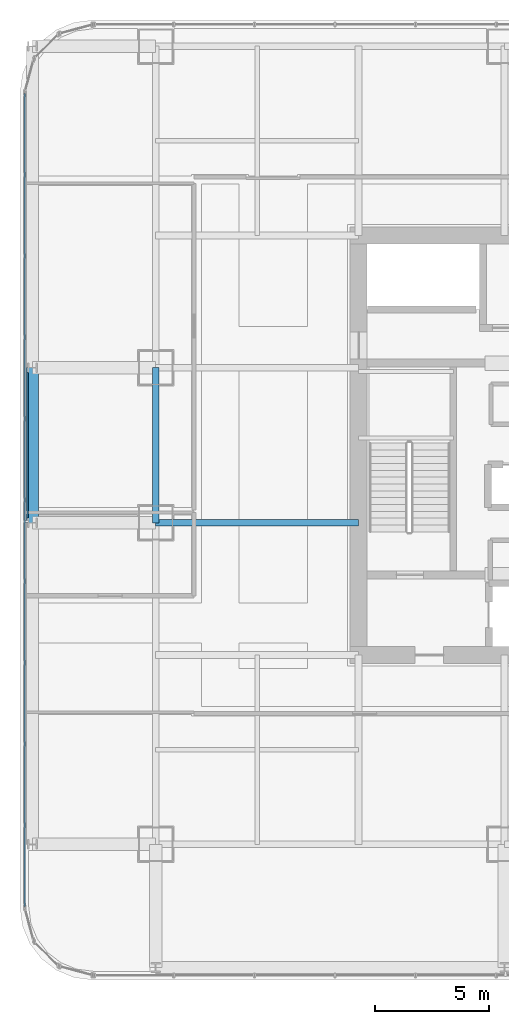
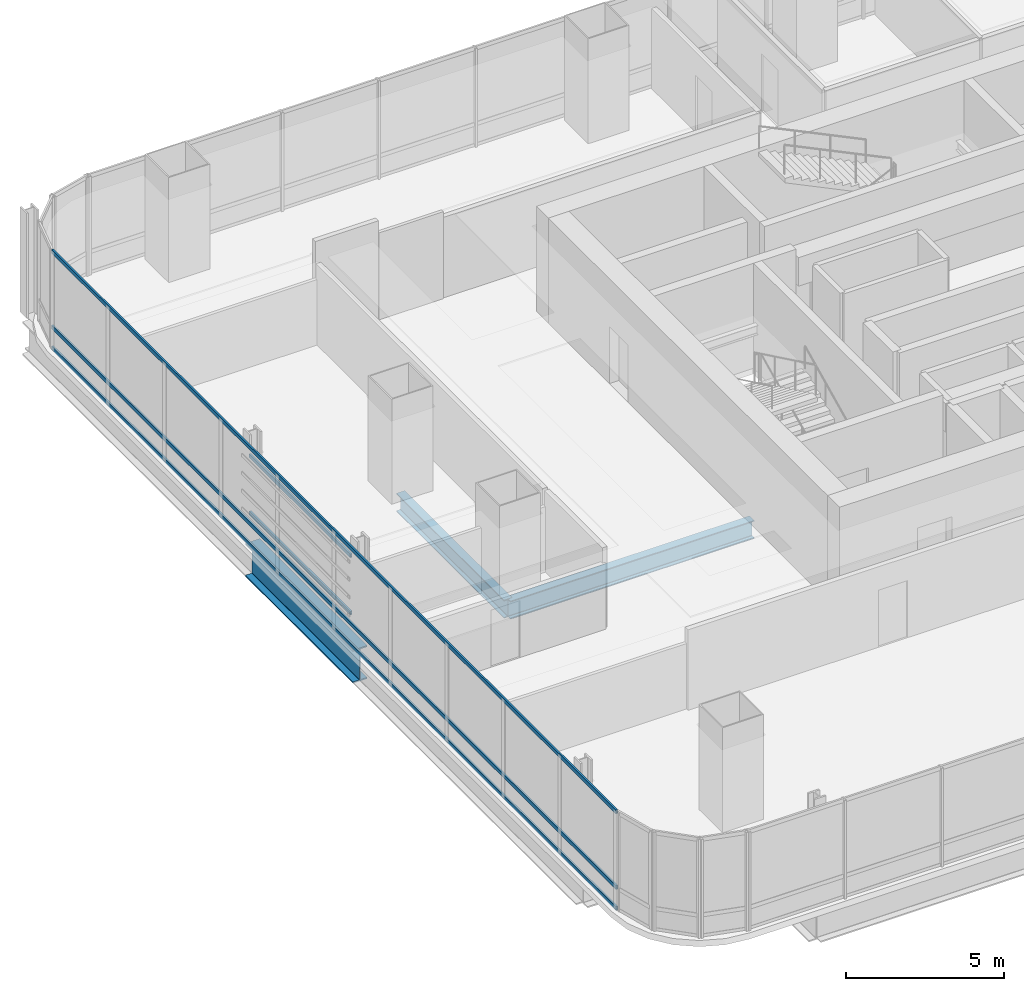
# One storey, part 10 of 36: 5 members, 3 beams, 1 element without a shape of its own.
"""IFC4 building model written with IfcOpenShell, lengths in metres."""

from ifc_helpers import new_model, si_unit, direction, frame, origin, origin_2d, place, context, subcontext, project, spatial, hollow_rectangle, i_section, extrude, material, material_profile, profile_set, type_object, element, aggregate, save


model = new_model("IFC4")

# Units and contexts
model_context = context("Model", 3, precision=1e-05, world=origin(), true_north=direction((0.0, 1.0)))
body_context = subcontext(model_context, "Body", "Model", "MODEL_VIEW")
ifc_project = project(units=[si_unit("LENGTHUNIT", "METRE"), si_unit("AREAUNIT", "SQUARE_METRE"), si_unit("VOLUMEUNIT", "CUBIC_METRE"), si_unit("PLANEANGLEUNIT", "RADIAN"), si_unit("MASSUNIT", "GRAM", prefix="KILO")], contexts=[model_context])

# Site, building, storey
site_placement = place(None, origin())
site = spatial("IfcSite", under=ifc_project, at=site_placement, CompositionType="ELEMENT")
building_placement = place(site_placement, origin())
building = spatial("IfcBuilding", under=site, at=building_placement, Name="Punatoya Terracotta Tower", CompositionType="ELEMENT")
storey_placement = place(building_placement, frame((0.0, 0.0, 36.300048828125)))
storey = spatial("IfcBuildingStorey", under=building, at=storey_placement, Name="L07", CompositionType="ELEMENT", Elevation=36.300048828125)

# Beams
ifc_material_1 = material(Name="Steel S355", Category="steel")
ifc_material_profile_1 = material_profile(ifc_material_1, i_section(OverallWidth=0.300048828125, OverallDepth=0.699951171875, WebThickness=0.01708984375, FlangeThickness=0.031982421875, FilletRadius=0.01806640625, at=origin_2d()))
ifc_profile_set_1 = profile_set([ifc_material_profile_1], Name="Steel S355")
beam_type_1 = type_object("IfcBeamType", Name="BM-PRI-700", PredefinedType="BEAM", material=ifc_profile_set_1)
beam_1_placement = place(storey_placement, frame((-19.10009765625, -3.39990234375, -0.590087890625), z_axis=(0.0, 1.0, 0.0), x_axis=(-1.0, 0.0, 0.0)))
element("IfcBeam", 1, at=beam_1_placement, inside=storey, type_object=beam_type_1, Name="BM-L07-RG-W2", PredefinedType="BEAM", context=body_context, shape_type="SweptSolid", body=[
    extrude(i_section(OverallWidth=0.300048828125, OverallDepth=0.699951171875, WebThickness=0.01708984375, FlangeThickness=0.031982421875, FilletRadius=0.01806640625, at=origin_2d()), origin(), (0.0, 0.0, 1.0), 6.7998046875),
])
beam_2_placement = place(storey_placement, frame((-19.10009765625, -3.39990234375, -0.590087890625), z_axis=(1.0, 0.0, 0.0), x_axis=(0.0, 1.0, 0.0)))
element("IfcBeam", 2, at=beam_2_placement, inside=storey, type_object=beam_type_1, Name="BM-L07-PR-WD", PredefinedType="BEAM", context=body_context, shape_type="SweptSolid", body=[
    extrude(i_section(OverallWidth=0.300048828125, OverallDepth=0.699951171875, WebThickness=0.01708984375, FlangeThickness=0.031982421875, FilletRadius=0.01806640625, at=origin_2d()), origin(), (0.0, 0.0, 1.0), 8.900146484375),
])
ifc_material_2 = material(Name="Steel S460", Category="steel")
ifc_material_profile_2 = material_profile(ifc_material_2, i_section(OverallWidth=0.52001953125, OverallDepth=1.280029296875, WebThickness=0.031982421875, FlangeThickness=0.050048828125, FilletRadius=0.01806640625, at=origin_2d()))
ifc_profile_set_2 = profile_set([ifc_material_profile_2], Name="Steel S460")
beam_type_2 = type_object("IfcBeamType", Name="BM-TG-NCK", PredefinedType="BEAM", material=ifc_profile_set_2)
beam_3_placement = place(storey_placement, frame((-24.5, -3.39990234375, -0.880126953125), z_axis=(0.0, 1.0, 0.0), x_axis=(-1.0, 0.0, 0.0)))
element("IfcBeam", 3, at=beam_3_placement, inside=storey, type_object=beam_type_2, Name="BM-L07-PER-W2", PredefinedType="BEAM", context=body_context, shape_type="SweptSolid", body=[
    extrude(i_section(OverallWidth=0.52001953125, OverallDepth=1.280029296875, WebThickness=0.031982421875, FlangeThickness=0.050048828125, FilletRadius=0.01806640625, at=origin_2d()), origin(), (0.0, 0.0, 1.0), 6.7998046875),
])

# Curtain wall, members
ifc_material_3 = material(Name="Aluminium 6063-T6 + Double Low-E Glass", Category="aluminium")
curtain_wall_type = type_object("IfcCurtainWallType", Name="CW-M1", PredefinedType="NOTDEFINED", material=ifc_material_3)
curtain_wall_placement = place(storey_placement, origin())
curtain_wall = element("IfcCurtainWall", 4, at=curtain_wall_placement, inside=storey, type_object=curtain_wall_type, Name="L07 Curtain Wall CW-L07-W13-1", PredefinedType="NOTDEFINED")
ifc_material_4 = material(Name="Aluminium 6063-T6", Category="aluminium")
ifc_material_profile_3 = material_profile(ifc_material_4, hollow_rectangle(XDim=0.068115234375, YDim=0.14990234375, WallThickness=0.00390625, at=origin_2d()))
ifc_profile_set_3 = profile_set([ifc_material_profile_3], Name="Aluminium 6063-T6")
member_type_1 = type_object("IfcMemberType", Name="CW-TRN-TYP", PredefinedType="USERDEFINED", material=ifc_profile_set_3)
member_1_placement = place(storey_placement, frame((-24.85009765625, 15.43701171875, 0.0400390625), z_axis=(0.0, -1.0, 0.0), x_axis=(1.0, 0.0, 0.0)))
member_1 = element("IfcMember", 5, at=member_1_placement, type_object=member_type_1, Name="CW-L07-W13-1 Transom 1", ObjectType="TRANSOM", PredefinedType="USERDEFINED", context=body_context, shape_type="SweptSolid", body=[
    extrude(hollow_rectangle(XDim=0.068115234375, YDim=0.14990234375, WallThickness=0.00390625, at=origin_2d()), origin(), (0.0, 0.0, 1.0), 35.673828125),
])
member_2_placement = place(storey_placement, frame((-24.85009765625, 15.43701171875, 0.849853515625), z_axis=(0.0, -1.0, 0.0), x_axis=(1.0, 0.0, 0.0)))
member_2 = element("IfcMember", 6, at=member_2_placement, type_object=member_type_1, Name="CW-L07-W13-1 Transom 2", ObjectType="TRANSOM", PredefinedType="USERDEFINED", context=body_context, shape_type="SweptSolid", body=[
    extrude(hollow_rectangle(XDim=0.068115234375, YDim=0.14990234375, WallThickness=0.00390625, at=origin_2d()), origin(), (0.0, 0.0, 1.0), 35.673828125),
])
member_3_placement = place(storey_placement, frame((-24.85009765625, 15.43701171875, 3.77001953125), z_axis=(0.0, -1.0, 0.0), x_axis=(1.0, 0.0, 0.0)))
member_3 = element("IfcMember", 7, at=member_3_placement, type_object=member_type_1, Name="CW-L07-W13-1 Transom 3", ObjectType="TRANSOM", PredefinedType="USERDEFINED", context=body_context, shape_type="SweptSolid", body=[
    extrude(hollow_rectangle(XDim=0.068115234375, YDim=0.14990234375, WallThickness=0.00390625, at=origin_2d()), origin(), (0.0, 0.0, 1.0), 35.673828125),
])
aggregate(curtain_wall, [member_1, member_2, member_3])

# Members
ifc_material_profile_4 = material_profile(ifc_material_1, hollow_rectangle(XDim=0.070068359375, YDim=0.139892578125, WallThickness=0.006103515625, at=origin_2d()))
ifc_profile_set_4 = profile_set([ifc_material_profile_4], Name="Steel S355")
member_type_2 = type_object("IfcMemberType", Name="MEM-BAG-RAIL", PredefinedType="USERDEFINED", material=ifc_profile_set_4)
for number, where, z_axis, x_axis, name in (
    (8, (-24.705078125, -3.1923828125, 1.050048828125), (0.0, 1.0, 0.0), (-1.0, 0.0, 0.0), "L07 Terracotta Baguette Carrier Rail BAG-L07-W-R1"),
    (9, (-24.705078125, -3.1923828125, 3.260009765625), (0.0, 1.0, 0.0), (-1.0, 0.0, 0.0), "L07 Terracotta Baguette Carrier Rail BAG-L07-W-R2"),
):
    element("IfcMember", number, at=place(storey_placement, frame(where, z_axis=z_axis, x_axis=x_axis)), inside=storey, type_object=member_type_2, Name=name, ObjectType="BAGUETTE", PredefinedType="USERDEFINED", context=body_context, shape_type="SweptSolid", body=[
        extrude(hollow_rectangle(XDim=0.070068359375, YDim=0.139892578125, WallThickness=0.006103515625, at=origin_2d()), origin(), (0.0, 0.0, 1.0), 6.384765625),
    ])

save(model, "model.ifc")
